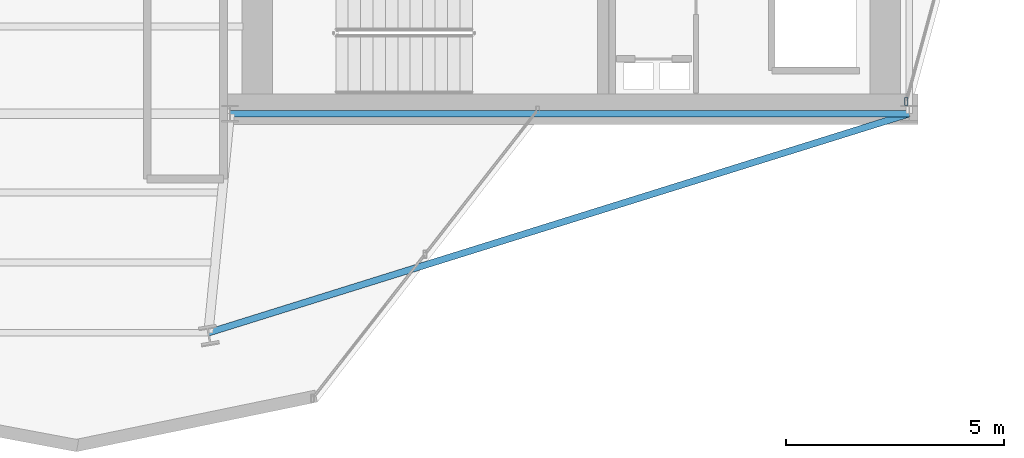
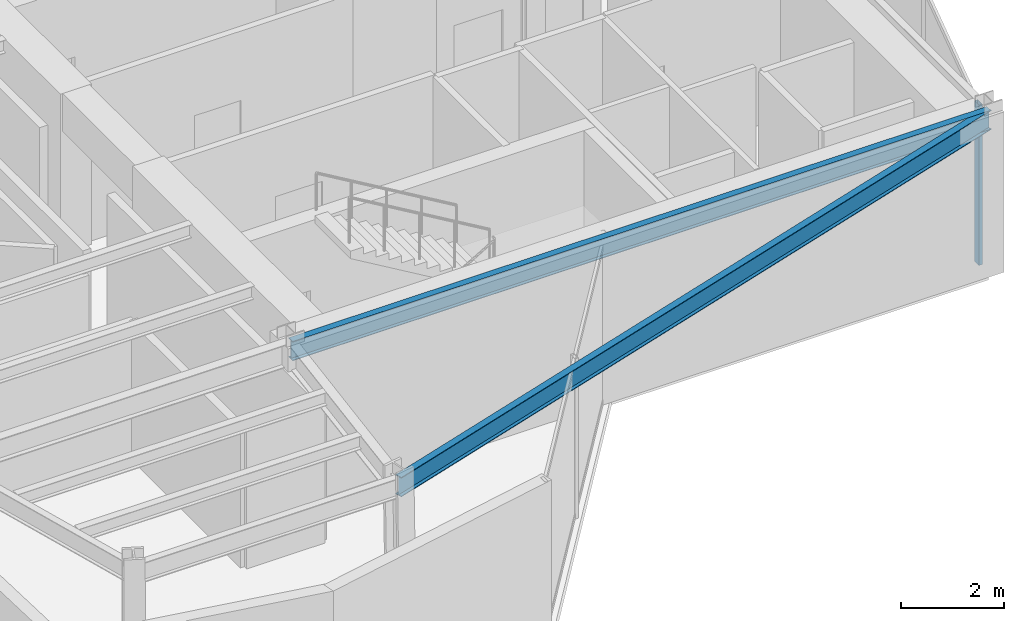
# One storey, part 12 of 20: 2 beams, 1 member, 1 element without a shape of its own.
"""IFC4 building model written with IfcOpenShell, lengths in metres."""

from ifc_helpers import new_model, si_unit, direction, frame, origin, origin_2d, place, context, subcontext, project, spatial, hollow_rectangle, i_section, extrude, material, layer, layer_set, material_profile, profile_set, type_object, element, aggregate, save


model = new_model("IFC4")

# Units and contexts
model_context = context("Model", 3, precision=1e-05, world=origin(), true_north=direction((0.0, 1.0)))
body_context = subcontext(model_context, "Body", "Model", "MODEL_VIEW")
ifc_project = project(units=[si_unit("LENGTHUNIT", "METRE"), si_unit("AREAUNIT", "SQUARE_METRE"), si_unit("VOLUMEUNIT", "CUBIC_METRE"), si_unit("PLANEANGLEUNIT", "RADIAN"), si_unit("MASSUNIT", "GRAM", prefix="KILO")], contexts=[model_context])

# Site, building, storey
site_placement = place(None, origin())
site = spatial("IfcSite", under=ifc_project, at=site_placement, CompositionType="ELEMENT")
building_placement = place(site_placement, origin())
building = spatial("IfcBuilding", under=site, at=building_placement, Name="Veymaron Broadcast Tower", CompositionType="ELEMENT")
storey_placement = place(building_placement, frame((0.0, 0.0, 248.550048828125)))
storey = spatial("IfcBuildingStorey", under=building, at=storey_placement, Name="L58", CompositionType="ELEMENT", Elevation=248.550048828125)

# Beams
ifc_material_1 = material(Name="Structural steel ASTM A992 Gr 50", Category="steel")
ifc_material_profile_1 = material_profile(ifc_material_1, i_section(OverallWidth=0.154052734375, OverallDepth=0.458984375, WebThickness=0.009033203125, FlangeThickness=0.015380859375, at=origin_2d()), Name="W460X68")
ifc_profile_set_1 = profile_set([ifc_material_profile_1], Name="Structural steel ASTM A992 Gr 50")
beam_type = type_object("IfcBeamType", Name="BM-SP2", PredefinedType="SPANDREL", material=ifc_profile_set_1)
beam_1_placement = place(storey_placement, frame((39.0, 16.0, 3.560546875), z_axis=(1.0, 0.0, 0.0), x_axis=(0.0, 1.0, 0.0)))
element("IfcBeam", 1, at=beam_1_placement, inside=storey, type_object=beam_type, Name="L58 primary structural floor girder", PredefinedType="SPANDREL", context=body_context, shape_type="SweptSolid", body=[
    extrude(i_section(OverallWidth=0.154052734375, OverallDepth=0.458984375, WebThickness=0.009033203125, FlangeThickness=0.015380859375, at=origin_2d()), origin(), (0.0, 0.0, 1.0), 15.60009765625),
])
beam_2_placement = place(storey_placement, frame((54.60009765625, 16.0, 3.560546875), z_axis=(-0.954475340844, -0.298289831742, 0.0), x_axis=(0.298289831742, -0.954475340844, 0.0)))
element("IfcBeam", 2, at=beam_2_placement, inside=storey, type_object=beam_type, Name="L58 primary structural floor girder", PredefinedType="SPANDREL", context=body_context, shape_type="SweptSolid", body=[
    extrude(i_section(OverallWidth=0.154052734375, OverallDepth=0.458984375, WebThickness=0.009033203125, FlangeThickness=0.015380859375, at=origin_2d()), origin(), (0.0, 0.0, 1.0), 16.86279296875),
])

# Curtain wall, member
ifc_material_2 = material(Name="Anodised aluminium AA 6063-T6 and laminated low-E dark glass", Category="aluminium")
ifc_layer = layer(ifc_material_2, 0.179931640625)
ifc_layer_set = layer_set([ifc_layer], Name="Anodised aluminium AA 6063-T6 and laminated low-E dark glass")
curtain_wall_type = type_object("IfcCurtainWallType", Name="CW-SYS-05", PredefinedType="NOTDEFINED", material=ifc_layer_set)
curtain_wall_placement = place(storey_placement, origin())
curtain_wall = element("IfcCurtainWall", 3, at=curtain_wall_placement, inside=storey, type_object=curtain_wall_type, Name="L58 dark-glass curtain wall CW-L58-E2-1", PredefinedType="NOTDEFINED")
ifc_material_3 = material(Name="Anodised aluminium AA 6063-T6", Category="aluminium")
ifc_material_profile_2 = material_profile(ifc_material_3, hollow_rectangle(XDim=0.074951171875, YDim=0.179931640625, WallThickness=0.0048828125, at=origin_2d()), Name="AL180X75X5")
ifc_profile_set_2 = profile_set([ifc_material_profile_2], Name="Anodised aluminium AA 6063-T6")
member_type = type_object("IfcMemberType", Name="CW-MUL-02", PredefinedType="MULLION", material=ifc_profile_set_2)
member_placement = place(storey_placement, frame((54.53076171875, 16.278564453125, 0.0), z_axis=(0.0, 0.0, 1.0), x_axis=(1.0, 0.0, 0.0)))
member = element("IfcMember", 4, at=member_placement, type_object=member_type, Name="CW-L58-E2-1 mullion 0", PredefinedType="MULLION", context=body_context, shape_type="SweptSolid", body=[
    extrude(hollow_rectangle(XDim=0.074951171875, YDim=0.179931640625, WallThickness=0.0048828125, at=origin_2d()), origin(), (0.0, 0.0, 1.0), 3.7900390625),
])
aggregate(curtain_wall, [member])

save(model, "model.ifc")
